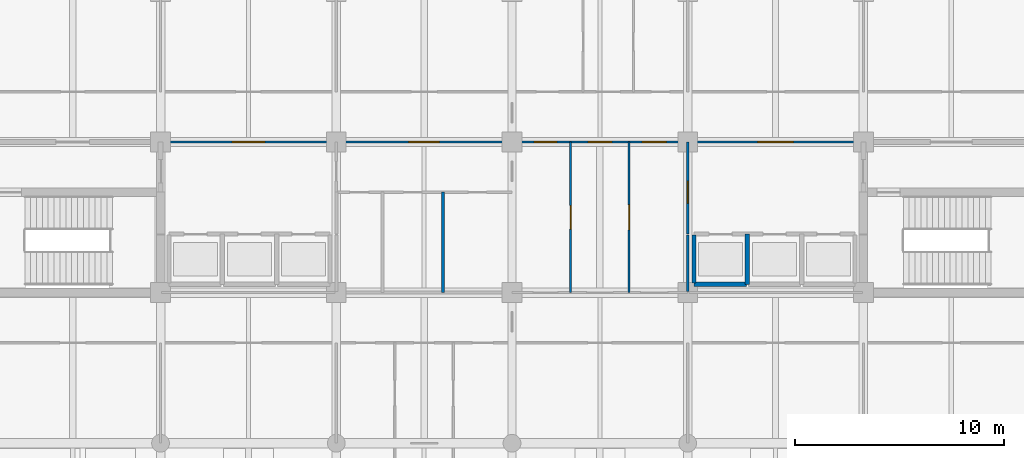
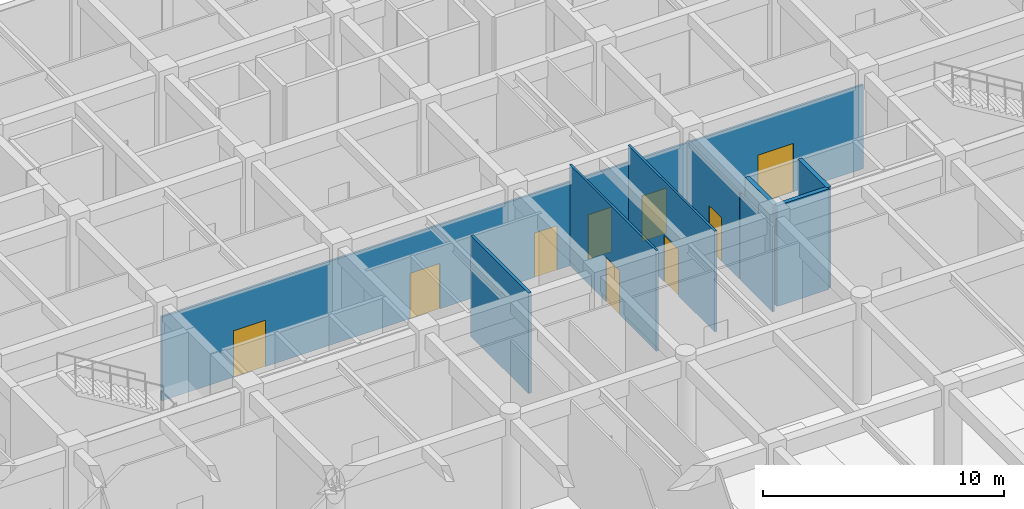
# One storey, part 26 of 48: 9 doors, 9 walls, 9 openings.
"""IFC4 building model written with IfcOpenShell, lengths in metres."""

from ifc_helpers import new_model, si_unit, direction, frame, frame_2d, origin, place, context, subcontext, project, spatial, rectangle, extrude, material, layer, layer_set, type_object, element, fill, save


model = new_model("IFC4")

# Units and contexts
model_context = context("Model", 3, precision=1e-05, world=origin(), true_north=direction((0.0, 1.0)))
body_context = subcontext(model_context, "Body", "Model", "MODEL_VIEW")
ifc_project = project(units=[si_unit("LENGTHUNIT", "METRE"), si_unit("AREAUNIT", "SQUARE_METRE"), si_unit("VOLUMEUNIT", "CUBIC_METRE"), si_unit("PLANEANGLEUNIT", "RADIAN"), si_unit("MASSUNIT", "GRAM", prefix="KILO")], contexts=[model_context])

# Site, building, storey
site_placement = place(None, origin())
site = spatial("IfcSite", under=ifc_project, at=site_placement, CompositionType="ELEMENT")
building_placement = place(site_placement, origin())
building = spatial("IfcBuilding", under=site, at=building_placement, Name="Chengyuan Square Courthouse", CompositionType="ELEMENT")
storey_placement = place(building_placement, frame((0.0, 0.0, -5.39990234375)))
storey = spatial("IfcBuildingStorey", under=building, at=storey_placement, Name="B01", CompositionType="ELEMENT", Elevation=-5.39990234375)

# Wall
ifc_material_1 = material(Name="Moisture-Resistant Masonry Wet-Room Partition", Category="masonry")
ifc_layer_1 = layer(ifc_material_1, 0.139892578125)
ifc_layer_set_1 = layer_set([ifc_layer_1], Name="Moisture-Resistant Masonry Wet-Room Partition")
wall_type_1 = type_object("IfcWallType", Name="WL-PT4", PredefinedType="STANDARD", material=ifc_layer_set_1)
wall_1_placement = place(storey_placement, frame((80.699951171875, 86.39990234375, 0.0), z_axis=(0.0, 0.0, 1.0), x_axis=(0.0, 1.0, 0.0)))
element("IfcWall", 1, at=wall_1_placement, inside=storey, type_object=wall_type_1, Name="Interior Wall WL-B01-I521", PredefinedType="STANDARD", context=body_context, shape_type="SweptSolid", body=[
    extrude(rectangle(XDim=4.800048828125, YDim=0.139892578125, at=frame_2d((2.39990234375, 0.0))), origin(), (0.0, 0.0, 1.0), 5.099853515625),
])

# Wall, openings, doors
ifc_material_2 = material(Name="Gypsum Plasterboard Acoustic Stud Partition")
ifc_layer_2 = layer(ifc_material_2, 0.10009765625)
ifc_layer_set_2 = layer_set([ifc_layer_2], Name="Gypsum Plasterboard Acoustic Stud Partition")
wall_type_2 = type_object("IfcWallType", Name="WL-PT6", PredefinedType="STANDARD", material=ifc_layer_set_2)
wall_2_placement = place(storey_placement, frame((67.199951171875, 93.60009765625, 0.0), z_axis=(0.0, 0.0, 1.0), x_axis=(1.0, 0.0, 0.0)))
wall_2 = element("IfcWall", 2, at=wall_2_placement, inside=storey, type_object=wall_type_2, Name="Interior Wall WL-B01-I342", PredefinedType="STANDARD", context=body_context, shape_type="SweptSolid", body=[
    extrude(rectangle(XDim=33.60009765625, YDim=0.10009765625, at=frame_2d((16.800048828125, 0.0))), origin(), (0.0, 0.0, 1.0), 4.25),
])
opening_1_placement = place(wall_2_placement, frame((3.425048828125, 0.0, 0.0)))
opening_1 = element("IfcOpeningElement", 3, at=opening_1_placement, cuts=wall_2, Name="Opening DR-428", PredefinedType="OPENING", context=body_context, shape_type="SweptSolid", body=[
    extrude(rectangle(XDim=1.550048828125, YDim=2.35009765625, at=frame_2d((0.77490234375, 1.175048828125))), frame((0.0, 0.06201171875, 0.0), z_axis=(0.0, -1.0, 0.0), x_axis=(1.0, 0.0, 0.0)), (0.0, 0.0, 1.0), 0.1240234375),
])
opening_2_placement = place(wall_2_placement, frame((28.550048828125, 0.0, 0.0)))
opening_2 = element("IfcOpeningElement", 4, at=opening_2_placement, cuts=wall_2, Name="Opening DR-429", PredefinedType="OPENING", context=body_context, shape_type="SweptSolid", body=[
    extrude(rectangle(XDim=1.699951171875, YDim=2.449951171875, at=frame_2d((0.85009765625, 1.22509765625))), frame((0.0, 0.06201171875, 0.0), z_axis=(0.0, -1.0, 0.0), x_axis=(1.0, 0.0, 0.0)), (0.0, 0.0, 1.0), 0.1240234375),
])
opening_3_placement = place(wall_2_placement, frame((11.875, 0.0, 0.0)))
opening_3 = element("IfcOpeningElement", 5, at=opening_3_placement, cuts=wall_2, Name="Opening DR-478", PredefinedType="OPENING", context=body_context, shape_type="SweptSolid", body=[
    extrude(rectangle(XDim=1.449951171875, YDim=2.300048828125, at=frame_2d((0.72509765625, 1.14990234375))), frame((0.0, 0.06201171875, 0.0), z_axis=(0.0, -1.0, 0.0), x_axis=(1.0, 0.0, 0.0)), (0.0, 0.0, 1.0), 0.1240234375),
])
opening_4_placement = place(wall_2_placement, frame((17.857421875, 0.0, 0.0)))
opening_4 = element("IfcOpeningElement", 6, at=opening_4_placement, cuts=wall_2, Name="Opening DR-516", PredefinedType="OPENING", context=body_context, shape_type="SweptSolid", body=[
    extrude(rectangle(XDim=1.080078125, YDim=2.25, at=frame_2d((0.5400390625, 1.125))), frame((0.0, 0.06201171875, 0.0), z_axis=(0.0, -1.0, 0.0), x_axis=(1.0, 0.0, 0.0)), (0.0, 0.0, 1.0), 0.1240234375),
])
opening_5_placement = place(wall_2_placement, frame((20.43994140625, 0.0, 0.0)))
opening_5 = element("IfcOpeningElement", 7, at=opening_5_placement, cuts=wall_2, Name="Opening DR-517", PredefinedType="OPENING", context=body_context, shape_type="SweptSolid", body=[
    extrude(rectangle(XDim=1.1201171875, YDim=2.25, at=frame_2d((0.56005859375, 1.125))), frame((0.0, 0.06201171875, 0.0), z_axis=(0.0, -1.0, 0.0), x_axis=(1.0, 0.0, 0.0)), (0.0, 0.0, 1.0), 0.1240234375),
])
opening_6_placement = place(wall_2_placement, frame((23.0224609375, 0.0, 0.0)))
opening_6 = element("IfcOpeningElement", 8, at=opening_6_placement, cuts=wall_2, Name="Opening DR-518", PredefinedType="OPENING", context=body_context, shape_type="SweptSolid", body=[
    extrude(rectangle(XDim=1.159912109375, YDim=2.300048828125, at=frame_2d((0.580078125, 1.14990234375))), frame((0.0, 0.06201171875, 0.0), z_axis=(0.0, -1.0, 0.0), x_axis=(1.0, 0.0, 0.0)), (0.0, 0.0, 1.0), 0.1240234375),
])
ifc_material_3 = material(Name="Acoustic Larch Veneer Double Door")
door_type_1 = type_object("IfcDoorType", Name="DT-23", OperationType="DOUBLE_DOOR_SINGLE_SWING", PredefinedType="DOOR", material=ifc_material_3)
door_1_placement = place(opening_1_placement, frame((1.550048828125, 0.0, 0.0), z_axis=(0.0, 0.0, 1.0), x_axis=(-1.0, 0.0, 0.0)))
door_1 = element("IfcDoor", 9, at=door_1_placement, inside=storey, type_object=door_type_1, Name="Interior Door DR-428", OperationType="DOUBLE_DOOR_SINGLE_SWING", OverallHeight=2.35009765625, OverallWidth=1.550048828125, PredefinedType="DOOR", context=body_context, shape_type="SweptSolid", body=[
    extrude(rectangle(XDim=1.550048828125, YDim=2.35009765625, at=frame_2d((0.77490234375, 1.175048828125))), frame((0.0, 0.02490234375, 0.0), z_axis=(0.0, -1.0, 0.0), x_axis=(1.0, 0.0, 0.0)), (0.0, 0.0, 1.0), 0.050048828125),
])
fill(opening_1, door_1)
door_type_2 = type_object("IfcDoorType", Name="DT-24", OperationType="DOUBLE_DOOR_SINGLE_SWING", PredefinedType="DOOR", material=ifc_material_3)
door_2_placement = place(opening_2_placement, frame((1.699951171875, 0.0, 0.0), z_axis=(0.0, 0.0, 1.0), x_axis=(-1.0, 0.0, 0.0)))
door_2 = element("IfcDoor", 10, at=door_2_placement, inside=storey, type_object=door_type_2, Name="Interior Door DR-429", OperationType="DOUBLE_DOOR_SINGLE_SWING", OverallHeight=2.449951171875, OverallWidth=1.699951171875, PredefinedType="DOOR", context=body_context, shape_type="SweptSolid", body=[
    extrude(rectangle(XDim=1.699951171875, YDim=2.449951171875, at=frame_2d((0.85009765625, 1.22509765625))), frame((0.0, 0.02490234375, 0.0), z_axis=(0.0, -1.0, 0.0), x_axis=(1.0, 0.0, 0.0)), (0.0, 0.0, 1.0), 0.050048828125),
])
fill(opening_2, door_2)
door_type_3 = type_object("IfcDoorType", Name="DT-25", OperationType="DOUBLE_DOOR_SINGLE_SWING", PredefinedType="DOOR", material=ifc_material_3)
door_3_placement = place(opening_3_placement, frame((1.449951171875, 0.0, 0.0), z_axis=(0.0, 0.0, 1.0), x_axis=(-1.0, 0.0, 0.0)))
door_3 = element("IfcDoor", 11, at=door_3_placement, inside=storey, type_object=door_type_3, Name="Interior Door DR-478", OperationType="DOUBLE_DOOR_SINGLE_SWING", OverallHeight=2.300048828125, OverallWidth=1.449951171875, PredefinedType="DOOR", context=body_context, shape_type="SweptSolid", body=[
    extrude(rectangle(XDim=1.449951171875, YDim=2.300048828125, at=frame_2d((0.72509765625, 1.14990234375))), frame((0.0, 0.02490234375, 0.0), z_axis=(0.0, -1.0, 0.0), x_axis=(1.0, 0.0, 0.0)), (0.0, 0.0, 1.0), 0.050048828125),
])
fill(opening_3, door_3)
ifc_material_4 = material(Name="Acoustic Solid-Core Timber Door", Category="wood")
door_type_4 = type_object("IfcDoorType", Name="DT-33", OperationType="NOTDEFINED", PredefinedType="DOOR", material=ifc_material_4)
door_4_placement = place(opening_4_placement, origin())
door_4 = element("IfcDoor", 12, at=door_4_placement, inside=storey, type_object=door_type_4, Name="Interior Door DR-516", OperationType="SINGLE_SWING_RIGHT", OverallHeight=2.25, OverallWidth=1.080078125, PredefinedType="DOOR", context=body_context, shape_type="SweptSolid", body=[
    extrude(rectangle(XDim=1.080078125, YDim=2.25, at=frame_2d((0.5400390625, 1.125))), frame((0.0, 0.02490234375, 0.0), z_axis=(0.0, -1.0, 0.0), x_axis=(1.0, 0.0, 0.0)), (0.0, 0.0, 1.0), 0.050048828125),
])
fill(opening_4, door_4)
door_type_5 = type_object("IfcDoorType", Name="DT-34", OperationType="NOTDEFINED", PredefinedType="DOOR", material=ifc_material_4)
door_5_placement = place(opening_5_placement, origin())
door_5 = element("IfcDoor", 13, at=door_5_placement, inside=storey, type_object=door_type_5, Name="Interior Door DR-517", OperationType="SINGLE_SWING_LEFT", OverallHeight=2.25, OverallWidth=1.1201171875, PredefinedType="DOOR", context=body_context, shape_type="SweptSolid", body=[
    extrude(rectangle(XDim=1.1201171875, YDim=2.25, at=frame_2d((0.56005859375, 1.125))), frame((0.0, 0.02490234375, 0.0), z_axis=(0.0, -1.0, 0.0), x_axis=(1.0, 0.0, 0.0)), (0.0, 0.0, 1.0), 0.050048828125),
])
fill(opening_5, door_5)
door_type_6 = type_object("IfcDoorType", Name="DT-35", OperationType="NOTDEFINED", PredefinedType="DOOR", material=ifc_material_4)
door_6_placement = place(opening_6_placement, origin())
door_6 = element("IfcDoor", 14, at=door_6_placement, inside=storey, type_object=door_type_6, Name="Interior Door DR-518", OperationType="SINGLE_SWING_RIGHT", OverallHeight=2.300048828125, OverallWidth=1.159912109375, PredefinedType="DOOR", context=body_context, shape_type="SweptSolid", body=[
    extrude(rectangle(XDim=1.159912109375, YDim=2.300048828125, at=frame_2d((0.580078125, 1.14990234375))), frame((0.0, 0.02490234375, 0.0), z_axis=(0.0, -1.0, 0.0), x_axis=(1.0, 0.0, 0.0)), (0.0, 0.0, 1.0), 0.050048828125),
])
fill(opening_6, door_6)

# Wall, opening, door
wall_3_placement = place(storey_placement, frame((86.800048828125, 86.39990234375, 0.0), z_axis=(0.0, 0.0, 1.0), x_axis=(0.0, 1.0, 0.0)))
wall_3 = element("IfcWall", 15, at=wall_3_placement, inside=storey, type_object=wall_type_2, Name="Interior Wall WL-B01-I528", PredefinedType="STANDARD", context=body_context, shape_type="SweptSolid", body=[
    extrude(rectangle(XDim=7.2001953125, YDim=0.10009765625, at=frame_2d((3.60009765625, 0.0))), origin(), (0.0, 0.0, 1.0), 5.099853515625),
])
opening_7_placement = place(wall_3_placement, frame((3.0400390625, 0.0, 0.0)))
opening_7 = element("IfcOpeningElement", 16, at=opening_7_placement, cuts=wall_3, Name="Opening DR-568", PredefinedType="OPENING", context=body_context, shape_type="SweptSolid", body=[
    extrude(rectangle(XDim=1.1201171875, YDim=2.25, at=frame_2d((0.56005859375, 1.125))), frame((0.0, 0.06201171875, 0.0), z_axis=(0.0, -1.0, 0.0), x_axis=(1.0, 0.0, 0.0)), (0.0, 0.0, 1.0), 0.1240234375),
])
door_7_placement = place(opening_7_placement, origin())
door_7 = element("IfcDoor", 17, at=door_7_placement, inside=storey, type_object=door_type_5, Name="Interior Door DR-568", OperationType="SINGLE_SWING_LEFT", OverallHeight=2.25, OverallWidth=1.1201171875, PredefinedType="DOOR", context=body_context, shape_type="SweptSolid", body=[
    extrude(rectangle(XDim=1.1201171875, YDim=2.25, at=frame_2d((0.56005859375, 1.125))), frame((0.0, 0.02490234375, 0.0), z_axis=(0.0, -1.0, 0.0), x_axis=(1.0, 0.0, 0.0)), (0.0, 0.0, 1.0), 0.050048828125),
])
fill(opening_7, door_7)

wall_4_placement = place(storey_placement, frame((89.60009765625, 86.39990234375, 0.0), z_axis=(0.0, 0.0, 1.0), x_axis=(0.0, 1.0, 0.0)))
wall_4 = element("IfcWall", 18, at=wall_4_placement, inside=storey, type_object=wall_type_2, Name="Interior Wall WL-B01-I532", PredefinedType="STANDARD", context=body_context, shape_type="SweptSolid", body=[
    extrude(rectangle(XDim=7.2001953125, YDim=0.10009765625, at=frame_2d((3.60009765625, 0.0))), origin(), (0.0, 0.0, 1.0), 5.099853515625),
])
opening_8_placement = place(wall_4_placement, frame((3.0, 0.0, 0.0)))
opening_8 = element("IfcOpeningElement", 19, at=opening_8_placement, cuts=wall_4, Name="Opening DR-570", PredefinedType="OPENING", context=body_context, shape_type="SweptSolid", body=[
    extrude(rectangle(XDim=1.199951171875, YDim=2.35009765625, at=frame_2d((0.60009765625, 1.175048828125))), frame((0.0, 0.06201171875, 0.0), z_axis=(0.0, -1.0, 0.0), x_axis=(1.0, 0.0, 0.0)), (0.0, 0.0, 1.0), 0.1240234375),
])
door_type_7 = type_object("IfcDoorType", Name="DT-36", OperationType="NOTDEFINED", PredefinedType="DOOR", material=ifc_material_4)
door_8_placement = place(opening_8_placement, origin())
door_8 = element("IfcDoor", 20, at=door_8_placement, inside=storey, type_object=door_type_7, Name="Interior Door DR-570", OperationType="SINGLE_SWING_LEFT", OverallHeight=2.35009765625, OverallWidth=1.199951171875, PredefinedType="DOOR", context=body_context, shape_type="SweptSolid", body=[
    extrude(rectangle(XDim=1.199951171875, YDim=2.35009765625, at=frame_2d((0.60009765625, 1.175048828125))), frame((0.0, 0.02490234375, 0.0), z_axis=(0.0, -1.0, 0.0), x_axis=(1.0, 0.0, 0.0)), (0.0, 0.0, 1.0), 0.050048828125),
])
fill(opening_8, door_8)

# Wall
wall_5_placement = place(storey_placement, frame((92.39990234375, 86.449951171875, 0.0), z_axis=(0.0, 0.0, 1.0), x_axis=(0.0, 1.0, 0.0)))
element("IfcWall", 21, at=wall_5_placement, inside=storey, type_object=wall_type_2, Name="Interior Wall WL-B01-I536", PredefinedType="STANDARD", context=body_context, shape_type="SweptSolid", body=[
    extrude(rectangle(XDim=2.699951171875, YDim=0.10009765625, at=frame_2d((1.35009765625, 0.0))), origin(), (0.0, 0.0, 1.0), 4.349853515625),
])

# Wall, opening, door
wall_6_placement = place(storey_placement, frame((92.39990234375, 89.199951171875, 0.0), z_axis=(0.0, 0.0, 1.0), x_axis=(0.0, 1.0, 0.0)))
wall_6 = element("IfcWall", 22, at=wall_6_placement, inside=storey, type_object=wall_type_2, Name="Interior Wall WL-B01-I537", PredefinedType="STANDARD", context=body_context, shape_type="SweptSolid", body=[
    extrude(rectangle(XDim=4.400146484375, YDim=0.10009765625, at=frame_2d((2.2001953125, 0.0))), origin(), (0.0, 0.0, 1.0), 4.349853515625),
])
opening_9_placement = place(wall_6_placement, frame((1.482421875, 0.0, 0.0)))
opening_9 = element("IfcOpeningElement", 23, at=opening_9_placement, cuts=wall_6, Name="Opening DR-430", PredefinedType="OPENING", context=body_context, shape_type="SweptSolid", body=[
    extrude(rectangle(XDim=1.0400390625, YDim=2.199951171875, at=frame_2d((0.52001953125, 1.10009765625))), frame((0.0, 0.06201171875, 0.0), z_axis=(0.0, -1.0, 0.0), x_axis=(1.0, 0.0, 0.0)), (0.0, 0.0, 1.0), 0.1240234375),
])
door_type_8 = type_object("IfcDoorType", Name="DT-32", OperationType="NOTDEFINED", PredefinedType="DOOR", material=ifc_material_4)
door_9_placement = place(opening_9_placement, origin())
door_9 = element("IfcDoor", 24, at=door_9_placement, inside=storey, type_object=door_type_8, Name="Interior Door DR-430", OperationType="SINGLE_SWING_LEFT", OverallHeight=2.199951171875, OverallWidth=1.0400390625, PredefinedType="DOOR", context=body_context, shape_type="SweptSolid", body=[
    extrude(rectangle(XDim=1.0400390625, YDim=2.199951171875, at=frame_2d((0.52001953125, 1.10009765625))), frame((0.0, 0.02490234375, 0.0), z_axis=(0.0, -1.0, 0.0), x_axis=(1.0, 0.0, 0.0)), (0.0, 0.0, 1.0), 0.050048828125),
])
fill(opening_9, door_9)

# Walls
ifc_material_5 = material(Name="Reinforced Masonry Shaft Enclosure", Category="masonry")
ifc_layer_3 = layer(ifc_material_5, 0.199951171875)
ifc_layer_set_3 = layer_set([ifc_layer_3], Name="Reinforced Masonry Shaft Enclosure")
wall_type_3 = type_object("IfcWallType", Name="WL-SH1", PredefinedType="STANDARD", material=ifc_layer_set_3)
wall_7_placement = place(storey_placement, frame((92.699951171875, 86.800048828125, 0.0), z_axis=(0.0, 0.0, 1.0), x_axis=(1.0, 0.0, 0.0)))
element("IfcWall", 25, at=wall_7_placement, inside=storey, type_object=wall_type_3, Name="Interior Wall WL-B01-I324", PredefinedType="STANDARD", context=body_context, shape_type="SweptSolid", body=[
    extrude(rectangle(XDim=2.5, YDim=0.199951171875, at=frame_2d((1.25, 0.0))), origin(), (0.0, 0.0, 1.0), 5.099853515625),
])
wall_8_placement = place(storey_placement, frame((92.699951171875, 86.85009765625, 0.0), z_axis=(0.0, 0.0, 1.0), x_axis=(0.0, 1.0, 0.0)))
element("IfcWall", 26, at=wall_8_placement, inside=storey, type_object=wall_type_3, Name="Interior Wall WL-B01-I542", PredefinedType="STANDARD", context=body_context, shape_type="SweptSolid", body=[
    extrude(rectangle(XDim=2.2998046875, YDim=0.199951171875, at=frame_2d((1.14990234375, 0.0))), origin(), (0.0, 0.0, 1.0), 5.099853515625),
])
wall_9_placement = place(storey_placement, frame((95.25, 86.800048828125, 0.0), z_axis=(0.0, 0.0, 1.0), x_axis=(0.0, 1.0, 0.0)))
element("IfcWall", 27, at=wall_9_placement, inside=storey, type_object=wall_type_3, Name="Interior Wall WL-B01-I543", PredefinedType="STANDARD", context=body_context, shape_type="SweptSolid", body=[
    extrude(rectangle(XDim=2.39990234375, YDim=0.199951171875, at=frame_2d((1.199951171875, 0.0))), origin(), (0.0, 0.0, 1.0), 5.099853515625),
])

save(model, "model.ifc")
